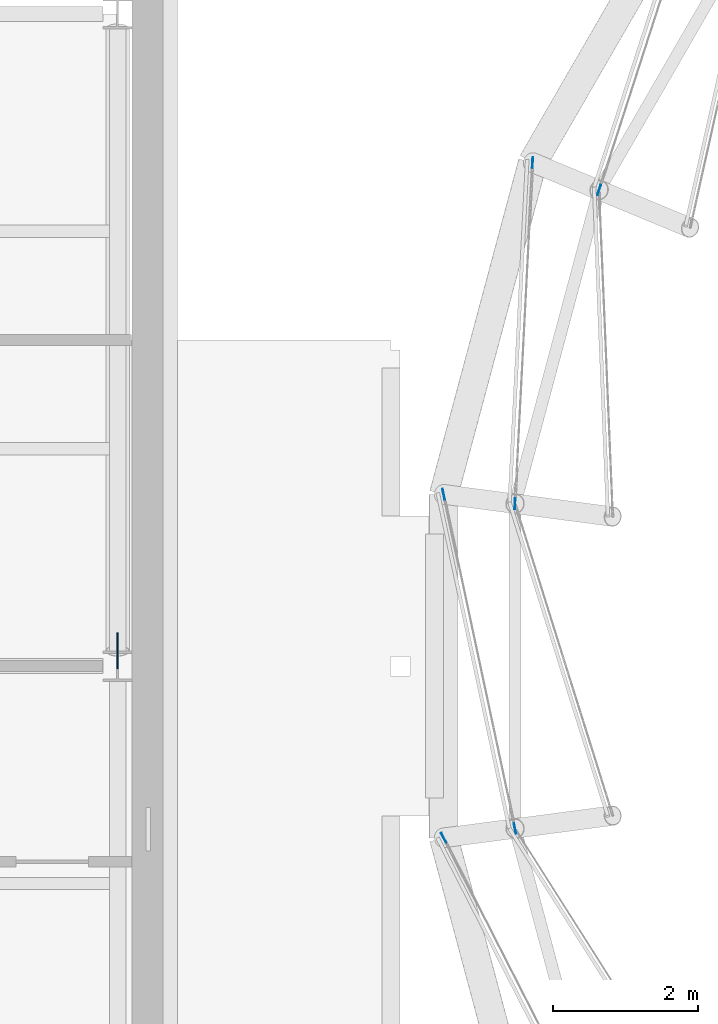
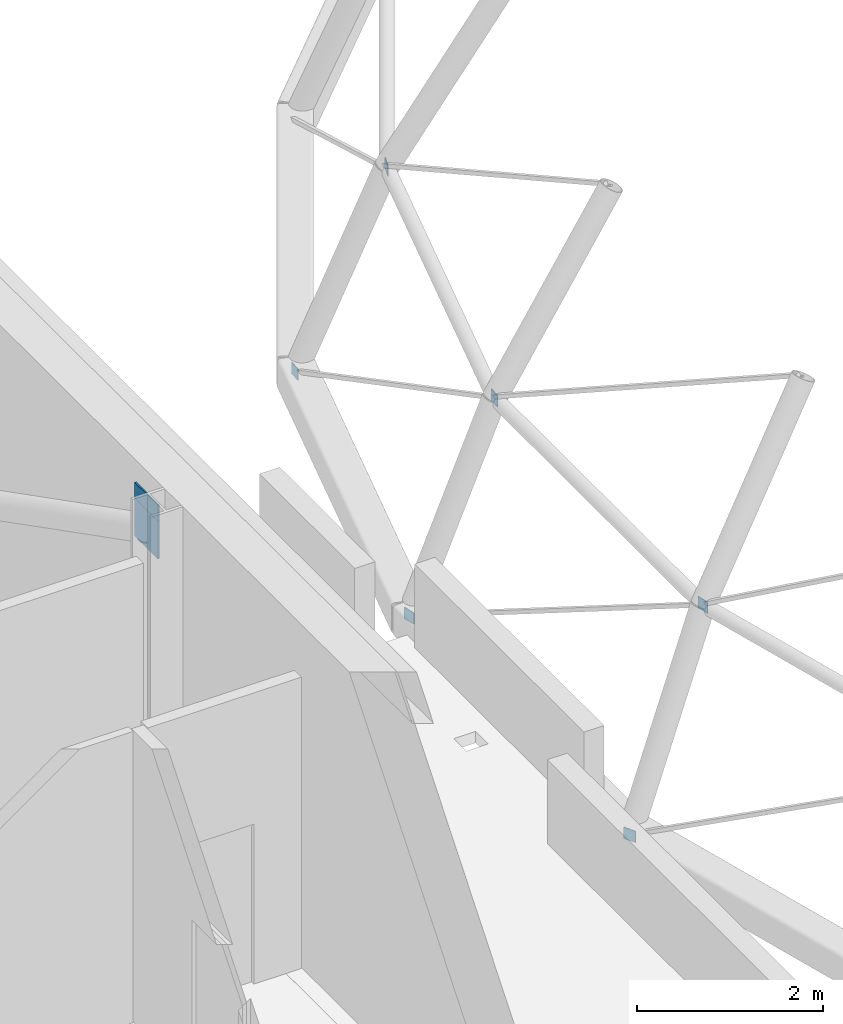
# One storey, part 35 of 59: 8 discrete accessories.
"""IFC4 building model written with IfcOpenShell, lengths in metres."""

import ifcopenshell
import ifcopenshell.guid

model = None  # the IFC model being written
_history = None  # IfcOwnerHistory: only IFC2X3 demands one
_inside = {}  # id of a spatial element -> (the spatial element, [elements in it])
_under = {}  # id of a project, library or spatial element -> (it, [spatial elements below it])
_declared = {}  # id of a project -> (the project, [libraries it declares])
_typed = {}  # id of a type object -> (the type object, [elements of that type])
_made_of = {}  # id of a material, layer set ... -> (it, [elements and type objects made of it])


def new_model(schema):
    """Start an empty IFC model of exactly this schema.

    Asked for "IFC4X3", IfcOpenShell would pick the latest addendum, in which some entities
    have other attributes; the version numbers below select the first issue.
    IFC2X3 requires an IfcOwnerHistory on every rooted entity: one is made here for all.
    """
    global model, _history
    if schema == "IFC4X3":
        model = ifcopenshell.file(schema_version=(4, 3, 0, 0))
    else:
        model = ifcopenshell.file(schema=schema)
    _inside.clear()
    _under.clear()
    _declared.clear()
    _typed.clear()
    _made_of.clear()
    _history = None
    if model.schema == "IFC2X3":
        org = make("IfcOrganization", Name="unknown")
        user = make(
            "IfcPersonAndOrganization",
            ThePerson=make("IfcPerson", FamilyName="unknown"),
            TheOrganization=org,
        )
        app = make(
            "IfcApplication",
            ApplicationDeveloper=org,
            Version="unknown",
            ApplicationFullName="unknown",
            ApplicationIdentifier="unknown",
        )
        _history = make(
            "IfcOwnerHistory",
            OwningUser=user,
            OwningApplication=app,
            ChangeAction="ADDED",
            CreationDate=0,
        )
    return model


def make(cls, **values):
    """One entity of the class cls with the attributes given. An attribute that is None is left unset."""
    return model.create_entity(
        cls, **{name: value for name, value in values.items() if value is not None}
    )


def rooted(cls, **values):
    """An entity with a GlobalId (a new one), such as an element, a storey or a relation."""
    return make(cls, GlobalId=ifcopenshell.guid.new(), OwnerHistory=_history, **values)


def si_unit(unit_type, name, prefix=None):
    """IfcSIUnit, for example si_unit("LENGTHUNIT", "METRE", prefix="MILLI")."""
    return make("IfcSIUnit", UnitType=unit_type, Prefix=prefix, Name=name)


def assignment(units):
    """IfcUnitAssignment: the units of a project."""
    return None if units is None else make("IfcUnitAssignment", Units=units)


def point(xyz):
    """IfcCartesianPoint."""
    return None if xyz is None else make("IfcCartesianPoint", Coordinates=xyz)


def direction(xyz):
    """IfcDirection."""
    return None if xyz is None else make("IfcDirection", DirectionRatios=xyz)


def frame(location, z_axis=None, x_axis=None):
    """IfcAxis2Placement3D, a coordinate frame: its origin and axes. An axis left out is left unset."""
    return make(
        "IfcAxis2Placement3D",
        Location=point(location),
        Axis=direction(z_axis),
        RefDirection=direction(x_axis),
    )


def frame_2d(location, x_axis=None):
    """IfcAxis2Placement2D, a coordinate frame in the plane: its origin and x axis."""
    return make(
        "IfcAxis2Placement2D", Location=point(location), RefDirection=direction(x_axis)
    )


def origin():
    """The frame at (0, 0, 0) with its axes left unset."""
    return frame((0.0, 0.0, 0.0))


def origin_2d():
    """The frame at (0, 0) in the plane with its x axis left unset."""
    return frame_2d((0.0, 0.0))


def place(relative_to, where):
    """IfcLocalPlacement: puts the frame where relative to a parent placement (None: the world)."""
    return make(
        "IfcLocalPlacement", PlacementRelTo=relative_to, RelativePlacement=where
    )


def context(
    kind, dimensions, precision=None, world=None, true_north=None, identifier=None
):
    """IfcGeometricRepresentationContext, for example the 3D "Model" context."""
    return make(
        "IfcGeometricRepresentationContext",
        ContextIdentifier=identifier,
        ContextType=kind,
        CoordinateSpaceDimension=dimensions,
        Precision=precision,
        WorldCoordinateSystem=world,
        TrueNorth=true_north,
    )


def subcontext(parent, identifier, kind, view, scale=None):
    """IfcGeometricRepresentationSubContext, for example "Body" below "Model"."""
    return make(
        "IfcGeometricRepresentationSubContext",
        ContextIdentifier=identifier,
        ContextType=kind,
        ParentContext=parent,
        TargetScale=scale,
        TargetView=view,
    )


def project(units=None, contexts=None):
    """IfcProject with its units and contexts."""
    return rooted(
        "IfcProject",
        Name="project",
        RepresentationContexts=contexts,
        UnitsInContext=assignment(units),
    )


def spatial(cls, under=None, at=None, **own):
    """A site, building, storey or space (cls), placed at a placement, below another one or the project."""
    s = rooted(cls, ObjectPlacement=at, **own)
    if under is not None:
        _under.setdefault(under.id(), (under, []))[1].append(s)
    return s


def profile(cls, at=None, kind="AREA", **sizes):
    """A parametric profile (cls). Its sizes go by their IFC names, for example OverallWidth=200.0."""
    return make(cls, ProfileType=kind, Position=at, **sizes)


def rectangle(**sizes):
    """IfcRectangleProfileDef."""
    return profile("IfcRectangleProfileDef", **sizes)


def extrude(swept, where, along, depth):
    """IfcExtrudedAreaSolid: the profile swept, set in the frame where, extruded along a direction by depth."""
    return make(
        "IfcExtrudedAreaSolid",
        SweptArea=swept,
        Position=where,
        ExtrudedDirection=direction(along),
        Depth=depth,
    )


def shape(context_of_items, identifier, shape_type, items):
    """IfcShapeRepresentation: the items that make up one representation, for example the "Body"."""
    return make(
        "IfcShapeRepresentation",
        ContextOfItems=context_of_items,
        RepresentationIdentifier=identifier,
        RepresentationType=shape_type,
        Items=items,
    )


def material(Name=None, Category=None):
    """IfcMaterial."""
    return make("IfcMaterial", Name=Name, Category=Category)


def made_of(thing, what):
    """Note that an element or type object is made of a material, layer set ...; save() writes the relation."""
    if what is not None:
        _made_of.setdefault(what.id(), (what, []))[1].append(thing)
    return thing


def type_object(cls, material=None, **own):
    """A type object (cls), such as IfcWallType, which elements share."""
    return made_of(rooted(cls, **own), material)


def element(
    cls,
    number,
    at=None,
    inside=None,
    cuts=None,
    type_object=None,
    material=None,
    context=None,
    identifier="Body",
    shape_type=None,
    held_by="IfcProductDefinitionShape",
    body=None,
    shapes=None,
    **own,
):
    """One element of the class cls, such as IfcWall. Its Tag is "e" and its number.

    at: its placement. inside: the storey or other place that contains it. cuts: it is an
    opening in that element (IfcRelVoidsElement). A single representation is given by context,
    identifier, shape_type and body (its items); several are given by shapes. held_by: the class
    of the entity that holds the representations. save() writes the other relations.
    """
    e = rooted(cls, Tag="e%d" % number, ObjectPlacement=at, **own)
    if body is not None:
        shapes = [shape(context, identifier, shape_type, body)]
    if shapes is not None:
        e.Representation = make(held_by, Representations=shapes)
    if inside is not None:
        _inside.setdefault(inside.id(), (inside, []))[1].append(e)
    if cuts is not None:
        rooted(
            "IfcRelVoidsElement", RelatingBuildingElement=cuts, RelatedOpeningElement=e
        )
    if type_object is not None:
        _typed.setdefault(type_object.id(), (type_object, []))[1].append(e)
    return made_of(e, material)


def aggregate(whole, parts):
    """IfcRelAggregates: a whole, such as a stair, and the parts it consists of."""
    return rooted("IfcRelAggregates", RelatingObject=whole, RelatedObjects=parts)


def save(model, path):
    """Write the relations noted so far, then the file.

    IfcRelAggregates (storeys below a building ...), IfcRelContainedInSpatialStructure (elements
    in a storey), IfcRelDefinesByType, IfcRelAssociatesMaterial and IfcRelDeclares: one each for
    every whole, place, type object, material and project.
    """
    for whole, parts in _under.values():
        aggregate(whole, parts)
    for where, things in _inside.values():
        rooted(
            "IfcRelContainedInSpatialStructure",
            RelatedElements=things,
            RelatingStructure=where,
        )
    for kind, things in _typed.values():
        rooted("IfcRelDefinesByType", RelatedObjects=things, RelatingType=kind)
    for what, things in _made_of.values():
        rooted("IfcRelAssociatesMaterial", RelatedObjects=things, RelatingMaterial=what)
    for by, libraries in _declared.values():
        rooted("IfcRelDeclares", RelatingContext=by, RelatedDefinitions=libraries)
    model.write(path)


model = new_model("IFC4")

# Units and contexts
model_context = context("Model", 3, precision=1e-05, world=origin(), true_north=direction((0.0, 1.0)))
body_context = subcontext(model_context, "Body", "Model", "MODEL_VIEW")
ifc_project = project(units=[si_unit("LENGTHUNIT", "METRE"), si_unit("AREAUNIT", "SQUARE_METRE"), si_unit("VOLUMEUNIT", "CUBIC_METRE"), si_unit("PLANEANGLEUNIT", "RADIAN"), si_unit("MASSUNIT", "GRAM", prefix="KILO")], contexts=[model_context])

# Site, building, storey
site_placement = place(None, origin())
site = spatial("IfcSite", under=ifc_project, at=site_placement, CompositionType="ELEMENT")
building_placement = place(site_placement, origin())
building = spatial("IfcBuilding", under=site, at=building_placement, Name="Hortulan Conservatory and Botanical Research Centre", CompositionType="ELEMENT")
storey_placement = place(building_placement, frame((0.0, 0.0, 10.5)))
storey = spatial("IfcBuildingStorey", under=building, at=storey_placement, Name="L02", CompositionType="ELEMENT", Elevation=10.5)

# Discrete accessories
ifc_material = material(Name="Steel Grade 300 plate (AS/NZS 3678, 280 MPa minimum yield)", Category="steel")
discrete_accessory_type_1 = type_object("IfcDiscreteAccessoryType", Name="End Plate 150x10", PredefinedType="BRACKET", material=ifc_material)
for number, where, z_axis, x_axis, name in (
    (1, (36.0, 15.63037109375, -0.074951171875), (0.0, 0.0, 1.0), (0.454721243795, -0.890633813888, 0.0), "Dome rod end plate"),
    (2, (36.0, 20.36962890625, -0.074951171875), (0.0, 0.0, 1.0), (0.208713999897, -0.977976720708, 0.0), "Dome rod end plate"),
    (3, (36.98388671875, 15.759765625, 2.51904296875), (0.0, 0.0, 1.0), (0.208713999897, -0.977976720708, 0.0), "Dome rod end plate"),
    (4, (36.98388671875, 20.240234375, 2.51904296875), (0.0, 0.0, 1.0), (0.051534188286, 0.998671230905, 0.0), "Dome rod end plate"),
    (5, (37.226806640625, 24.94775390625, -0.074951171875), (0.0, 0.0, 1.0), (0.051534188286, 0.998671230905, 0.0), "Dome rod end plate"),
    (6, (38.1435546875, 24.568115234375, 2.51904296875), (0.0, 0.0, 1.0), (0.308236734317, 0.951309684392, 0.0), "Dome rod end plate"),
):
    element("IfcDiscreteAccessory", number, at=place(storey_placement, frame(where, z_axis=z_axis, x_axis=x_axis)), inside=storey, type_object=discrete_accessory_type_1, Name=name, PredefinedType="BRACKET", context=body_context, shape_type="SweptSolid", body=[
        extrude(rectangle(XDim=0.14990234375, YDim=0.010009765625, at=origin_2d()), origin(), (0.0, 0.0, 1.0), 0.14990234375),
    ])
discrete_accessory_type_2 = type_object("IfcDiscreteAccessoryType", Name="End Plate 500x20", PredefinedType="BRACKET", material=ifc_material)
for number, where, z_axis, x_axis, name in (
    (7, (31.5, 18.2109375, 3.78173828125), (0.0, 0.0, 1.0), (0.0, -1.0, 0.0), "Brace end plate"),
    (8, (31.5, 18.2109375, 3.988525390625), (0.0, 0.0, 1.0), (0.0, -1.0, 0.0), "Brace end plate"),
):
    element("IfcDiscreteAccessory", number, at=place(storey_placement, frame(where, z_axis=z_axis, x_axis=x_axis)), inside=storey, type_object=discrete_accessory_type_2, Name=name, PredefinedType="BRACKET", context=body_context, shape_type="SweptSolid", body=[
        extrude(rectangle(XDim=0.5, YDim=0.02001953125, at=origin_2d()), origin(), (0.0, 0.0, 1.0), 0.5),
    ])

save(model, "model.ifc")
